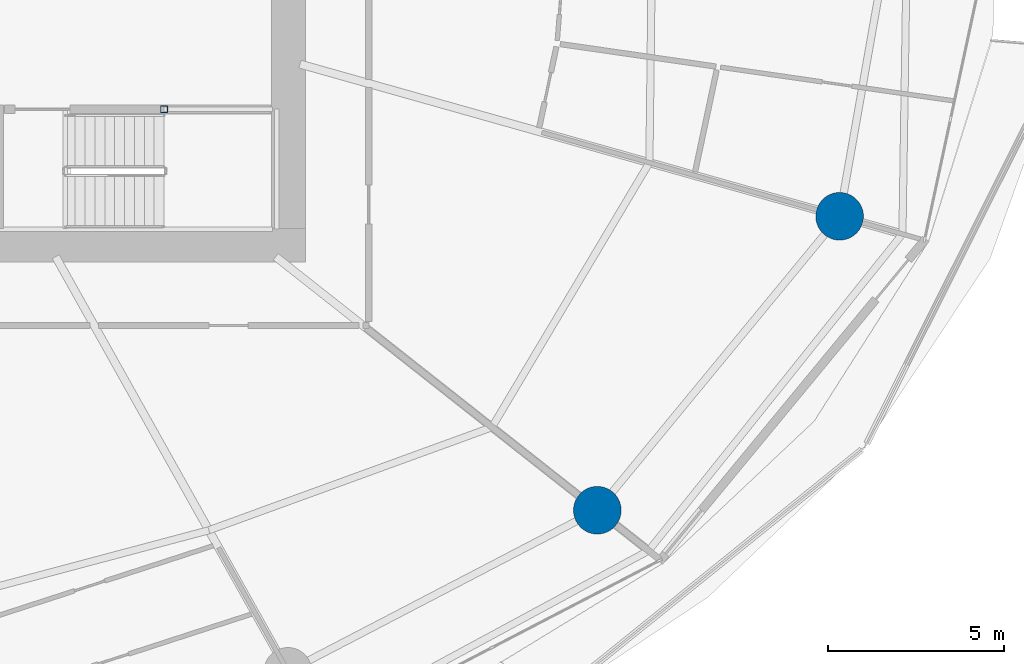
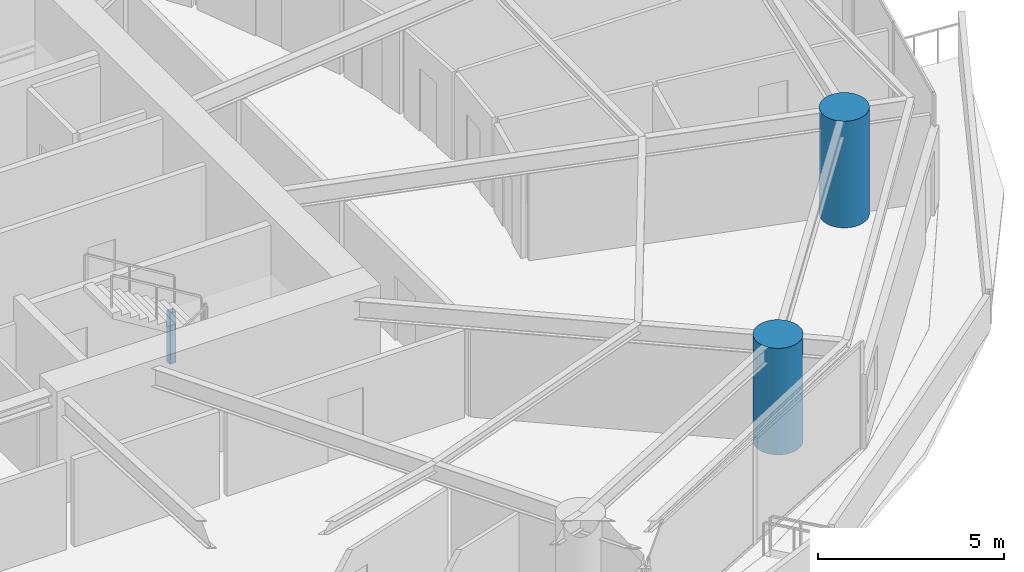
# One storey, part 3 of 31: 3 columns.
"""IFC4 building model written with IfcOpenShell, lengths in metres."""

from ifc_helpers import new_model, si_unit, direction, frame, origin, origin_2d, place, context, subcontext, project, spatial, hollow_rectangle, circle, extrude, material, material_profile, profile_set, type_object, element, save


model = new_model("IFC4")

# Units and contexts
model_context = context("Model", 3, precision=1e-05, world=origin(), true_north=direction((0.0, 1.0)))
body_context = subcontext(model_context, "Body", "Model", "MODEL_VIEW")
ifc_project = project(units=[si_unit("LENGTHUNIT", "METRE"), si_unit("AREAUNIT", "SQUARE_METRE"), si_unit("VOLUMEUNIT", "CUBIC_METRE"), si_unit("PLANEANGLEUNIT", "RADIAN"), si_unit("MASSUNIT", "GRAM", prefix="KILO")], contexts=[model_context])

# Site, building, storey
site_placement = place(None, origin())
site = spatial("IfcSite", under=ifc_project, at=site_placement, CompositionType="ELEMENT")
building_placement = place(site_placement, origin())
building = spatial("IfcBuilding", under=site, at=building_placement, Name="Kazma Halo Residences", CompositionType="ELEMENT")
storey_placement = place(building_placement, frame((0.0, 0.0, 48.89990234375)))
storey = spatial("IfcBuildingStorey", under=building, at=storey_placement, Name="L11", CompositionType="ELEMENT", Elevation=48.89990234375)

# Columns
ifc_material_1 = material(Name="Steel S355", Category="steel")
ifc_material_profile_1 = material_profile(ifc_material_1, hollow_rectangle(XDim=0.199951171875, YDim=0.199951171875, WallThickness=0.010009765625, InnerFilletRadius=0.010009765625, OuterFilletRadius=0.02001953125, at=origin_2d()), Name="SHS200x200x10")
ifc_profile_set_1 = profile_set([ifc_material_profile_1], Name="Steel S355")
column_type_1 = type_object("IfcColumnType", Name="COL-LP-SHS200", PredefinedType="COLUMN", material=ifc_profile_set_1)
column_placement = place(storey_placement, frame((56.0, 37.3798828125, 0.0), z_axis=(0.0, 0.0, 1.0), x_axis=(1.0, 0.0, 0.0)))
element("IfcColumn", 1, at=column_placement, inside=storey, type_object=column_type_1, Name="L11 ST-03 landing pilaster 1", PredefinedType="COLUMN", context=body_context, shape_type="SweptSolid", body=[
    extrude(hollow_rectangle(XDim=0.199951171875, YDim=0.199951171875, WallThickness=0.010009765625, InnerFilletRadius=0.010009765625, OuterFilletRadius=0.02001953125, at=origin_2d()), origin(), (0.0, 0.0, 1.0), 1.670166015625),
])
ifc_material_2 = material(Name="Concrete C80/95", Category="concrete")
ifc_material_profile_2 = material_profile(ifc_material_2, circle(Radius=0.675048828125, at=origin_2d()), Name="CIRC1350")
ifc_profile_set_2 = profile_set([ifc_material_profile_2], Name="Concrete C80/95")
column_type_2 = type_object("IfcColumnType", Name="COL-PERIM-1350", PredefinedType="COLUMN", material=ifc_profile_set_2)
for number, where, z_axis, x_axis, name in (
    (2, (68.27587890625, 26.015869140625, 0.0), (0.0, 0.0, 1.0), (1.0, 0.0, 0.0), "L11 perimeter ring column P14"),
    (3, (75.140869140625, 34.345458984375, 0.0), (0.0, 0.0, 1.0), (1.0, 0.0, 0.0), "L11 perimeter ring column P15"),
):
    element("IfcColumn", number, at=place(storey_placement, frame(where, z_axis=z_axis, x_axis=x_axis)), inside=storey, type_object=column_type_2, Name=name, PredefinedType="COLUMN", context=body_context, shape_type="SweptSolid", body=[
        extrude(circle(Radius=0.675048828125, at=origin_2d()), origin(), (0.0, 0.0, 1.0), 3.5),
    ])

save(model, "model.ifc")
